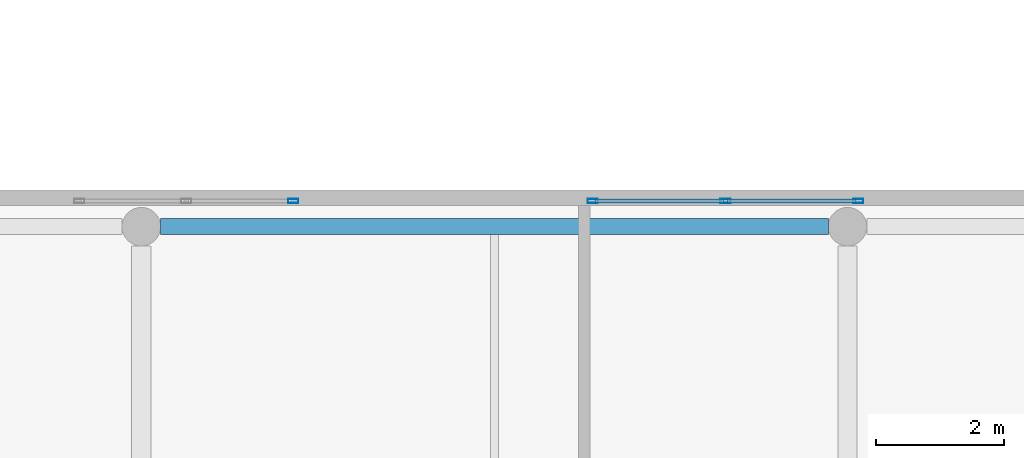
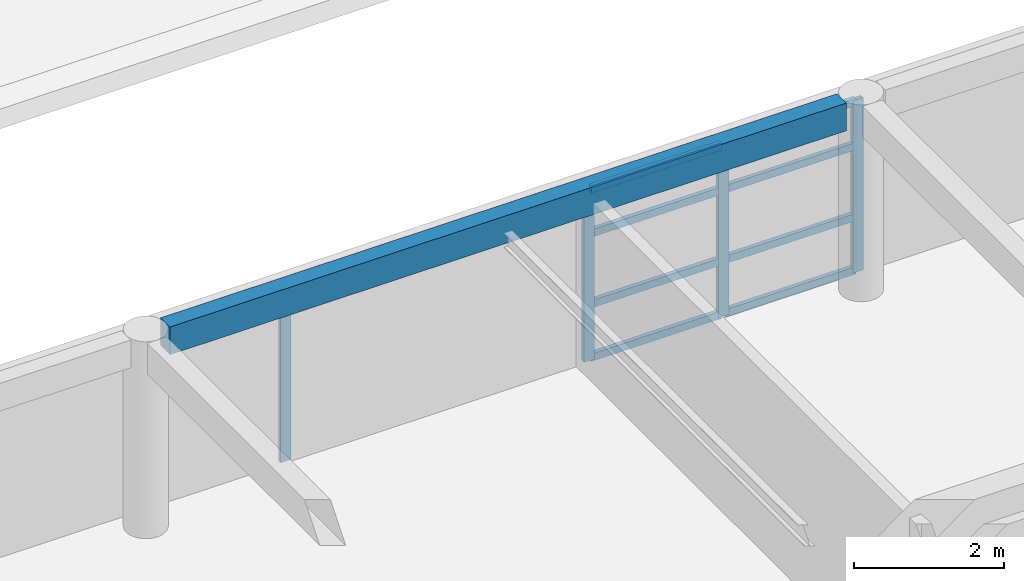
# One storey, part 60 of 128: 12 members, 1 beam, 2 elements without a shape of their own.
"""IFC4 building model written with IfcOpenShell, lengths in metres."""

from ifc_helpers import new_model, si_unit, direction, frame, origin, origin_2d, place, context, subcontext, project, spatial, rectangle, hollow_rectangle, extrude, material, layer, layer_set, material_profile, profile_set, type_object, element, aggregate, save


model = new_model("IFC4")

# Units and contexts
model_context = context("Model", 3, precision=1e-05, world=origin(), true_north=direction((0.0, 1.0)))
body_context = subcontext(model_context, "Body", "Model", "MODEL_VIEW")
ifc_project = project(units=[si_unit("LENGTHUNIT", "METRE"), si_unit("AREAUNIT", "SQUARE_METRE"), si_unit("VOLUMEUNIT", "CUBIC_METRE"), si_unit("PLANEANGLEUNIT", "RADIAN"), si_unit("MASSUNIT", "GRAM", prefix="KILO")], contexts=[model_context])

# Site, building, storey
site_placement = place(None, origin())
site = spatial("IfcSite", under=ifc_project, at=site_placement, CompositionType="ELEMENT")
building_placement = place(site_placement, origin())
building = spatial("IfcBuilding", under=site, at=building_placement, Name="Keldmere Railside Commons", CompositionType="ELEMENT")
storey_placement = place(building_placement, frame((0.0, 0.0, 4.159912109375)))
storey = spatial("IfcBuildingStorey", under=building, at=storey_placement, Name="L01", CompositionType="ELEMENT", Elevation=4.159912109375)

# Beam
ifc_material_1 = material(Name="Architectural Precast Concrete H-35 (C35/45)", Category="concrete")
ifc_material_profile_1 = material_profile(ifc_material_1, rectangle(XDim=0.25, YDim=0.449951171875, at=origin_2d()), Name="RC-250x450")
ifc_profile_set_1 = profile_set([ifc_material_profile_1], Name="Architectural Precast Concrete H-35 (C35/45)")
beam_type = type_object("IfcBeamType", Name="Perimeter Precast Spandrel Beam 250x450", PredefinedType="SPANDREL", material=ifc_profile_set_1)
beam_placement = place(storey_placement, frame((148.300048828125, 39.550048828125, 2.97509765625), z_axis=(1.0, 0.0, 0.0), x_axis=(0.0, 1.0, 0.0)))
element("IfcBeam", 1, at=beam_placement, inside=storey, type_object=beam_type, Name="SPB-1 BM-L01-0776", PredefinedType="SPANDREL", context=body_context, shape_type="SweptSolid", body=[
    extrude(rectangle(XDim=0.25, YDim=0.449951171875, at=origin_2d()), origin(), (0.0, 0.0, 1.0), 10.39990234375),
])

# Curtain wall, member
ifc_material_2 = material(Name="Thermally Broken Aluminium", Category="aluminium")
ifc_layer_1 = layer(ifc_material_2, 0.159912109375, Name="Sky-Terrace Lounge CW 3400x2850")
ifc_layer_set_1 = layer_set([ifc_layer_1], Name="Thermally Broken Aluminium")
curtain_wall_type_1 = type_object("IfcCurtainWallType", Name="Sky-Terrace Lounge CW 3400x2850", PredefinedType="NOTDEFINED", material=ifc_layer_set_1)
curtain_wall_1_placement = place(storey_placement, origin())
curtain_wall_1 = element("IfcCurtainWall", 2, at=curtain_wall_1_placement, inside=storey, type_object=curtain_wall_type_1, Name="CW-14 CW-L01-220", PredefinedType="NOTDEFINED")
ifc_material_profile_2 = material_profile(ifc_material_2, hollow_rectangle(XDim=0.06494140625, YDim=0.159912109375, WallThickness=0.00390625, at=origin_2d()), Name="ALU-MULL-65x160")
ifc_profile_set_2 = profile_set([ifc_material_profile_2], Name="Thermally Broken Aluminium")
member_type_1 = type_object("IfcMemberType", Name="Unitised Curtain Wall Mullion 65x160", PredefinedType="MULLION", material=ifc_profile_set_2)
member_1_placement = place(storey_placement, frame((150.367431640625, 39.949951171875, 0.0), z_axis=(0.0, 0.0, 1.0), x_axis=(0.0, 1.0, 0.0)))
member_1 = element("IfcMember", 3, at=member_1_placement, type_object=member_type_1, Name="CW-14 mullion 3", PredefinedType="MULLION", context=body_context, shape_type="SweptSolid", body=[
    extrude(hollow_rectangle(XDim=0.06494140625, YDim=0.159912109375, WallThickness=0.00390625, at=origin_2d()), origin(), (0.0, 0.0, 1.0), 2.800048828125),
])
aggregate(curtain_wall_1, [member_1])

# Curtain wall, members
ifc_layer_2 = layer(ifc_material_2, 0.159912109375, Name="Sky-Terrace Corner CW 4200x2850")
ifc_layer_set_2 = layer_set([ifc_layer_2], Name="Thermally Broken Aluminium")
curtain_wall_type_2 = type_object("IfcCurtainWallType", Name="Sky-Terrace Corner CW 4200x2850", PredefinedType="NOTDEFINED", material=ifc_layer_set_2)
curtain_wall_2_placement = place(storey_placement, origin())
curtain_wall_2 = element("IfcCurtainWall", 4, at=curtain_wall_2_placement, inside=storey, type_object=curtain_wall_type_2, Name="CW-15 CW-L01-221", PredefinedType="NOTDEFINED")
member_2_placement = place(storey_placement, frame((155.032470703125, 39.949951171875, 0.0), z_axis=(0.0, 0.0, 1.0), x_axis=(0.0, 1.0, 0.0)))
member_2 = element("IfcMember", 5, at=member_2_placement, type_object=member_type_1, Name="CW-15 mullion 1", PredefinedType="MULLION", context=body_context, shape_type="SweptSolid", body=[
    extrude(hollow_rectangle(XDim=0.06494140625, YDim=0.159912109375, WallThickness=0.00390625, at=origin_2d()), origin(), (0.0, 0.0, 1.0), 2.800048828125),
])
member_3_placement = place(storey_placement, frame((157.10009765625, 39.949951171875, 0.0), z_axis=(0.0, 0.0, 1.0), x_axis=(0.0, 1.0, 0.0)))
member_3 = element("IfcMember", 6, at=member_3_placement, type_object=member_type_1, Name="CW-15 mullion 2", PredefinedType="MULLION", context=body_context, shape_type="SweptSolid", body=[
    extrude(hollow_rectangle(XDim=0.06494140625, YDim=0.159912109375, WallThickness=0.00390625, at=origin_2d()), origin(), (0.0, 0.0, 1.0), 2.800048828125),
])
member_4_placement = place(storey_placement, frame((159.16748046875, 39.949951171875, 0.0), z_axis=(0.0, 0.0, 1.0), x_axis=(0.0, 1.0, 0.0)))
member_4 = element("IfcMember", 7, at=member_4_placement, type_object=member_type_1, Name="CW-15 mullion 3", PredefinedType="MULLION", context=body_context, shape_type="SweptSolid", body=[
    extrude(hollow_rectangle(XDim=0.06494140625, YDim=0.159912109375, WallThickness=0.00390625, at=origin_2d()), origin(), (0.0, 0.0, 1.0), 2.800048828125),
])
ifc_material_profile_3 = material_profile(ifc_material_2, hollow_rectangle(XDim=0.06494140625, YDim=0.1201171875, WallThickness=0.00390625, at=origin_2d()), Name="ALU-TRAN-65x120")
ifc_profile_set_3 = profile_set([ifc_material_profile_3], Name="Thermally Broken Aluminium")
member_type_2 = type_object("IfcMemberType", Name="Unitised Curtain Wall Transom 65x120", PredefinedType="USERDEFINED", material=ifc_profile_set_3)
member_5_placement = place(storey_placement, frame((155.06494140625, 39.949951171875, 0.032470703125), z_axis=(1.0, 0.0, 0.0), x_axis=(0.0, 1.0, 0.0)))
member_5 = element("IfcMember", 8, at=member_5_placement, type_object=member_type_2, Name="CW-15 transom 1.1", ObjectType="TRANSOM", PredefinedType="USERDEFINED", context=body_context, shape_type="SweptSolid", body=[
    extrude(hollow_rectangle(XDim=0.06494140625, YDim=0.1201171875, WallThickness=0.00390625, at=origin_2d()), origin(), (0.0, 0.0, 1.0), 2.00244140625),
])
member_6_placement = place(storey_placement, frame((155.06494140625, 39.949951171875, 0.900146484375), z_axis=(1.0, 0.0, 0.0), x_axis=(0.0, 1.0, 0.0)))
member_6 = element("IfcMember", 9, at=member_6_placement, type_object=member_type_2, Name="CW-15 transom 1.2", ObjectType="TRANSOM", PredefinedType="USERDEFINED", context=body_context, shape_type="SweptSolid", body=[
    extrude(hollow_rectangle(XDim=0.06494140625, YDim=0.1201171875, WallThickness=0.00390625, at=origin_2d()), origin(), (0.0, 0.0, 1.0), 2.00244140625),
])
member_7_placement = place(storey_placement, frame((155.06494140625, 39.949951171875, 2.050048828125), z_axis=(1.0, 0.0, 0.0), x_axis=(0.0, 1.0, 0.0)))
member_7 = element("IfcMember", 10, at=member_7_placement, type_object=member_type_2, Name="CW-15 transom 1.3", ObjectType="TRANSOM", PredefinedType="USERDEFINED", context=body_context, shape_type="SweptSolid", body=[
    extrude(hollow_rectangle(XDim=0.06494140625, YDim=0.1201171875, WallThickness=0.00390625, at=origin_2d()), origin(), (0.0, 0.0, 1.0), 2.00244140625),
])
member_8_placement = place(storey_placement, frame((155.06494140625, 39.949951171875, 2.767578125), z_axis=(1.0, 0.0, 0.0), x_axis=(0.0, 1.0, 0.0)))
member_8 = element("IfcMember", 11, at=member_8_placement, type_object=member_type_2, Name="CW-15 transom 1.4", ObjectType="TRANSOM", PredefinedType="USERDEFINED", context=body_context, shape_type="SweptSolid", body=[
    extrude(hollow_rectangle(XDim=0.06494140625, YDim=0.1201171875, WallThickness=0.00390625, at=origin_2d()), origin(), (0.0, 0.0, 1.0), 2.00244140625),
])
member_9_placement = place(storey_placement, frame((157.132568359375, 39.949951171875, 0.032470703125), z_axis=(1.0, 0.0, 0.0), x_axis=(0.0, 1.0, 0.0)))
member_9 = element("IfcMember", 12, at=member_9_placement, type_object=member_type_2, Name="CW-15 transom 2.1", ObjectType="TRANSOM", PredefinedType="USERDEFINED", context=body_context, shape_type="SweptSolid", body=[
    extrude(hollow_rectangle(XDim=0.06494140625, YDim=0.1201171875, WallThickness=0.00390625, at=origin_2d()), origin(), (0.0, 0.0, 1.0), 2.00244140625),
])
member_10_placement = place(storey_placement, frame((157.132568359375, 39.949951171875, 0.900146484375), z_axis=(1.0, 0.0, 0.0), x_axis=(0.0, 1.0, 0.0)))
member_10 = element("IfcMember", 13, at=member_10_placement, type_object=member_type_2, Name="CW-15 transom 2.2", ObjectType="TRANSOM", PredefinedType="USERDEFINED", context=body_context, shape_type="SweptSolid", body=[
    extrude(hollow_rectangle(XDim=0.06494140625, YDim=0.1201171875, WallThickness=0.00390625, at=origin_2d()), origin(), (0.0, 0.0, 1.0), 2.00244140625),
])
member_11_placement = place(storey_placement, frame((157.132568359375, 39.949951171875, 2.050048828125), z_axis=(1.0, 0.0, 0.0), x_axis=(0.0, 1.0, 0.0)))
member_11 = element("IfcMember", 14, at=member_11_placement, type_object=member_type_2, Name="CW-15 transom 2.3", ObjectType="TRANSOM", PredefinedType="USERDEFINED", context=body_context, shape_type="SweptSolid", body=[
    extrude(hollow_rectangle(XDim=0.06494140625, YDim=0.1201171875, WallThickness=0.00390625, at=origin_2d()), origin(), (0.0, 0.0, 1.0), 2.00244140625),
])
member_12_placement = place(storey_placement, frame((157.132568359375, 39.949951171875, 2.767578125), z_axis=(1.0, 0.0, 0.0), x_axis=(0.0, 1.0, 0.0)))
member_12 = element("IfcMember", 15, at=member_12_placement, type_object=member_type_2, Name="CW-15 transom 2.4", ObjectType="TRANSOM", PredefinedType="USERDEFINED", context=body_context, shape_type="SweptSolid", body=[
    extrude(hollow_rectangle(XDim=0.06494140625, YDim=0.1201171875, WallThickness=0.00390625, at=origin_2d()), origin(), (0.0, 0.0, 1.0), 2.00244140625),
])
aggregate(curtain_wall_2, [member_2, member_3, member_4, member_5, member_6, member_7, member_8, member_9, member_10, member_11, member_12])

save(model, "model.ifc")
